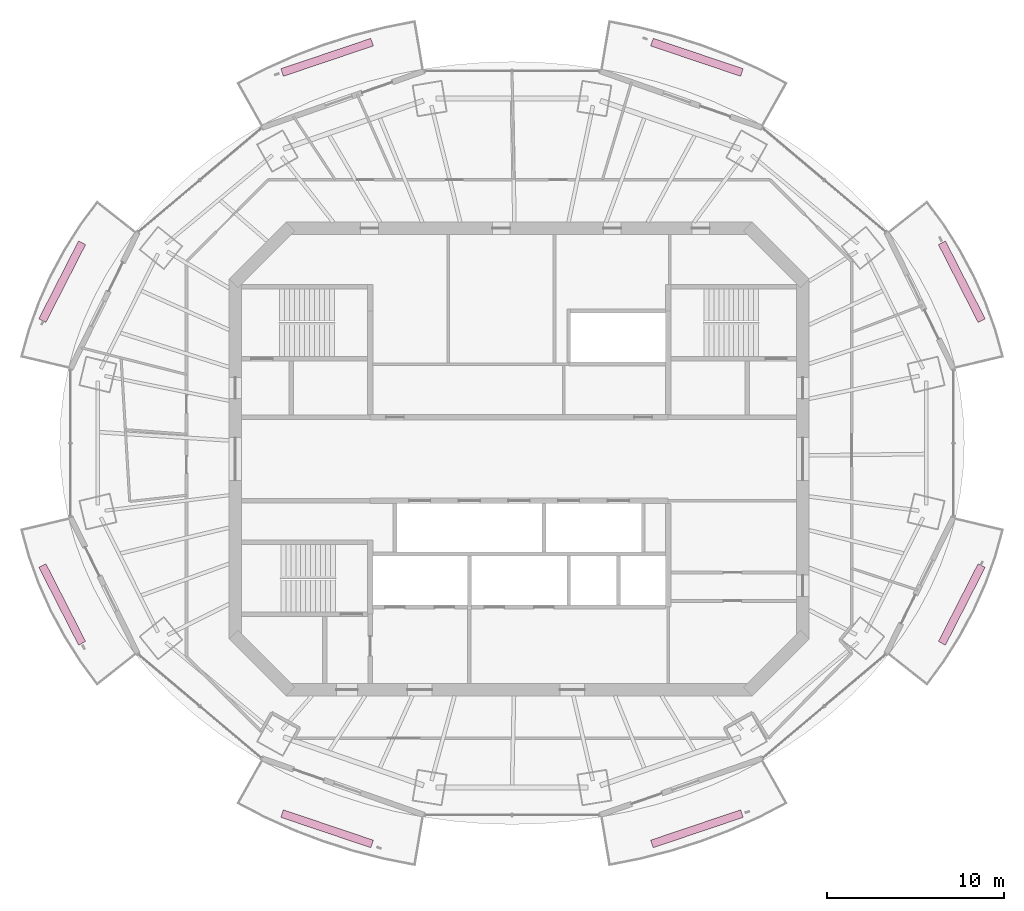
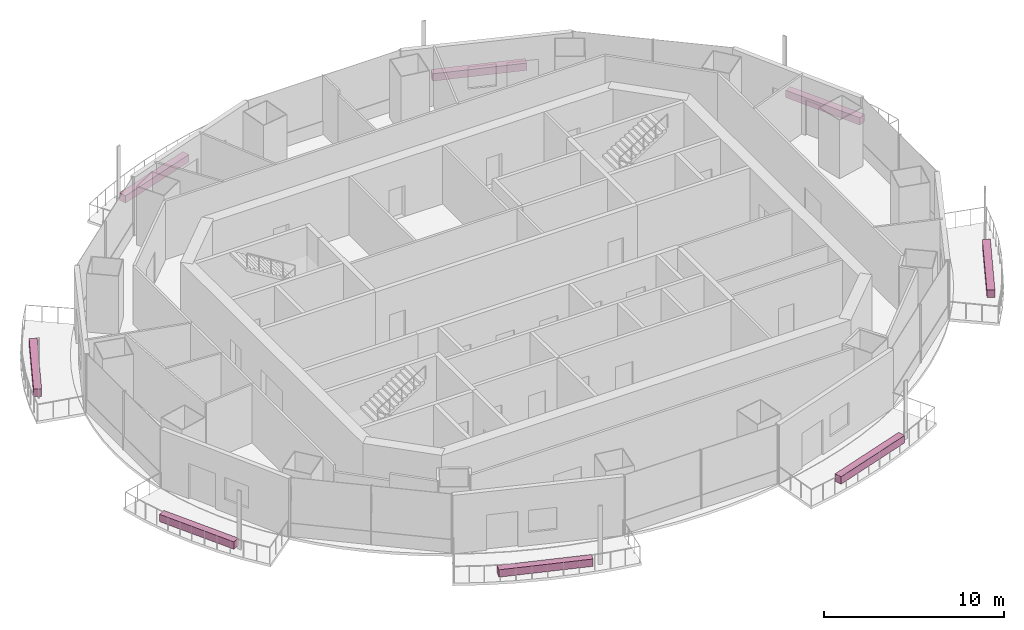
# One storey, part 15 of 15: 8 furnishings.
"""IFC4 building model written with IfcOpenShell, lengths in metres."""

from ifc_helpers import new_model, si_unit, direction, frame, origin, origin_2d, place, context, subcontext, project, spatial, rectangle, extrude, material, type_object, element, save


model = new_model("IFC4")

# Units and contexts
model_context = context("Model", 3, precision=1e-05, world=origin(), true_north=direction((0.0, 1.0)))
body_context = subcontext(model_context, "Body", "Model", "MODEL_VIEW")
ifc_project = project(units=[si_unit("LENGTHUNIT", "METRE"), si_unit("AREAUNIT", "SQUARE_METRE"), si_unit("VOLUMEUNIT", "CUBIC_METRE"), si_unit("PLANEANGLEUNIT", "RADIAN"), si_unit("MASSUNIT", "GRAM", prefix="KILO")], contexts=[model_context])

# Site, building, storey
site_placement = place(None, origin())
site = spatial("IfcSite", under=ifc_project, at=site_placement, CompositionType="ELEMENT")
building_placement = place(site_placement, origin())
building = spatial("IfcBuilding", under=site, at=building_placement, Name="Marenthal Gate Tower", CompositionType="ELEMENT")
storey_placement = place(building_placement, frame((0.0, 0.0, 384.10009765625)))
storey = spatial("IfcBuildingStorey", under=building, at=storey_placement, Name="L87", CompositionType="ELEMENT", Elevation=384.10009765625)

# Furnishings
ifc_material = material(Name="Planting soil and foliage", Category="planting")
furnishing_element_type = type_object("IfcFurnishingElementType", Name="Balcony PLANTER trough", material=ifc_material)
furnishing_1_placement = place(storey_placement, frame((24.955078125, 9.996337890625, -0.0400390625), z_axis=(0.0, 0.0, 1.0), x_axis=(-0.45470555801, 0.890641822235, 0.0)))
element("IfcFurnishingElement", 1, at=furnishing_1_placement, inside=storey, type_object=furnishing_element_type, Name="Balcony PLANTER L87 bay 1", ObjectType="PLANTER", context=body_context, shape_type="SweptSolid", body=[
    extrude(rectangle(XDim=4.926513671875, YDim=0.449951171875, at=origin_2d()), origin(), (0.0, 0.0, 1.0), 0.5),
])
for number, where, z_axis, x_axis, name in (
    (2, (10.024169921875, 22.64404296875, -0.0400390625), (0.0, 0.0, 1.0), (-0.947527025522, 0.319675672997, 0.0), "Balcony PLANTER L87 bay 3"),
    (3, (-10.82421875, 22.64404296875, -0.0400390625), (0.0, 0.0, 1.0), (-0.947527025522, -0.319675672997, 0.0), "Balcony PLANTER L87 bay 5"),
):
    element("IfcFurnishingElement", number, at=place(storey_placement, frame(where, z_axis=z_axis, x_axis=x_axis)), inside=storey, type_object=furnishing_element_type, Name=name, ObjectType="PLANTER", context=body_context, shape_type="SweptSolid", body=[
        extrude(rectangle(XDim=5.3515625, YDim=0.449951171875, at=origin_2d()), origin(), (0.0, 0.0, 1.0), 0.5),
    ])
for number, where, z_axis, x_axis, name in (
    (4, (-25.755126953125, 9.996337890625, -0.0400390625), (0.0, 0.0, 1.0), (-0.45470555801, -0.890641822235, 0.0), "Balcony PLANTER L87 bay 7"),
    (5, (-25.755126953125, -8.1962890625, -0.0400390625), (0.0, 0.0, 1.0), (0.45470555801, -0.890641822235, 0.0), "Balcony PLANTER L87 bay 9"),
):
    element("IfcFurnishingElement", number, at=place(storey_placement, frame(where, z_axis=z_axis, x_axis=x_axis)), inside=storey, type_object=furnishing_element_type, Name=name, ObjectType="PLANTER", context=body_context, shape_type="SweptSolid", body=[
        extrude(rectangle(XDim=4.926513671875, YDim=0.449951171875, at=origin_2d()), origin(), (0.0, 0.0, 1.0), 0.5),
    ])
for number, where, z_axis, x_axis, name in (
    (6, (-10.82421875, -20.843994140625, -0.0400390625), (0.0, 0.0, 1.0), (0.947527025522, -0.319675672997, 0.0), "Balcony PLANTER L87 bay 11"),
    (7, (10.024169921875, -20.843994140625, -0.0400390625), (0.0, 0.0, 1.0), (0.947527025522, 0.319675672997, 0.0), "Balcony PLANTER L87 bay 13"),
):
    element("IfcFurnishingElement", number, at=place(storey_placement, frame(where, z_axis=z_axis, x_axis=x_axis)), inside=storey, type_object=furnishing_element_type, Name=name, ObjectType="PLANTER", context=body_context, shape_type="SweptSolid", body=[
        extrude(rectangle(XDim=5.3515625, YDim=0.449951171875, at=origin_2d()), origin(), (0.0, 0.0, 1.0), 0.5),
    ])
furnishing_2_placement = place(storey_placement, frame((24.955078125, -8.1962890625, -0.0400390625), z_axis=(0.0, 0.0, 1.0), x_axis=(0.45470555801, 0.890641822235, 0.0)))
element("IfcFurnishingElement", 8, at=furnishing_2_placement, inside=storey, type_object=furnishing_element_type, Name="Balcony PLANTER L87 bay 15", ObjectType="PLANTER", context=body_context, shape_type="SweptSolid", body=[
    extrude(rectangle(XDim=4.926513671875, YDim=0.449951171875, at=origin_2d()), origin(), (0.0, 0.0, 1.0), 0.5),
])

save(model, "model.ifc")
